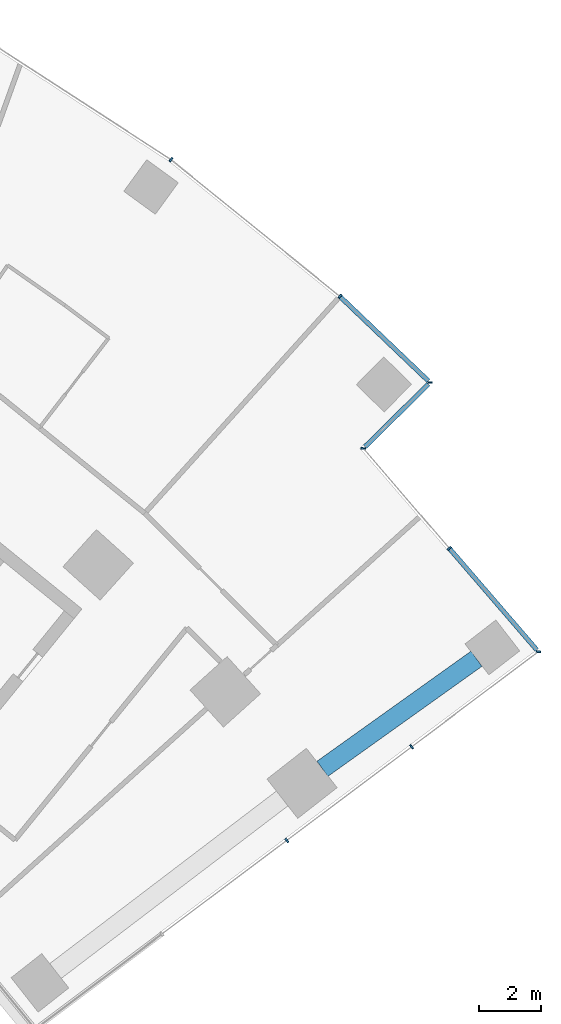
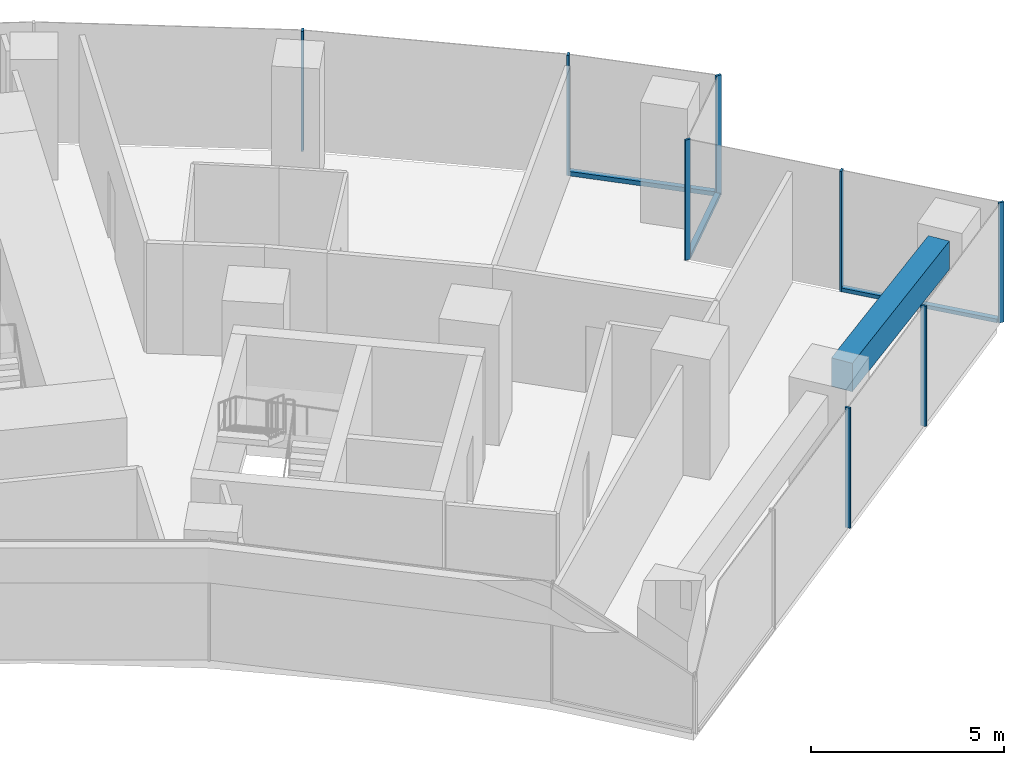
# One storey, part 10 of 21: 11 members, 1 beam, 4 elements without a shape of their own.
"""IFC4 building model written with IfcOpenShell, lengths in metres."""

from ifc_helpers import new_model, si_unit, direction, frame, origin, origin_2d, place, context, subcontext, project, spatial, rectangle, extrude, material, layer, layer_set, material_profile, profile_set, type_object, element, aggregate, save


model = new_model("IFC4")

# Units and contexts
model_context = context("Model", 3, precision=1e-05, world=origin(), true_north=direction((0.0, 1.0)))
body_context = subcontext(model_context, "Body", "Model", "MODEL_VIEW")
ifc_project = project(units=[si_unit("LENGTHUNIT", "METRE"), si_unit("AREAUNIT", "SQUARE_METRE"), si_unit("VOLUMEUNIT", "CUBIC_METRE"), si_unit("PLANEANGLEUNIT", "RADIAN"), si_unit("MASSUNIT", "GRAM", prefix="KILO")], contexts=[model_context])

# Site, building, storey
site_placement = place(None, origin())
site = spatial("IfcSite", under=ifc_project, at=site_placement, CompositionType="ELEMENT")
building_placement = place(site_placement, origin())
building = spatial("IfcBuilding", under=site, at=building_placement, Name="Stone Belt Terrace Tower", CompositionType="ELEMENT")
storey_placement = place(building_placement, frame((0.0, 0.0, 71.800048828125)))
storey = spatial("IfcBuildingStorey", under=building, at=storey_placement, Name="L17", CompositionType="ELEMENT", Elevation=71.800048828125)

# Curtain wall, members
ifc_material_1 = material(Name="Aluminium 6063-T6 anodised frame", Category="aluminium")
ifc_layer_1 = layer(ifc_material_1, 0.14990234375)
ifc_layer_set_1 = layer_set([ifc_layer_1], Name="CW-A unitised convex-face curtain wall")
curtain_wall_type_1 = type_object("IfcCurtainWallType", Name="CW-A unitised convex-face curtain wall", PredefinedType="NOTDEFINED", material=ifc_layer_set_1)
curtain_wall_1_placement = place(storey_placement, origin())
curtain_wall_1 = element("IfcCurtainWall", 1, at=curtain_wall_1_placement, inside=storey, type_object=curtain_wall_type_1, Name="CW-A convex face L17", PredefinedType="NOTDEFINED")
ifc_material_profile_1 = material_profile(ifc_material_1, rectangle(XDim=0.14990234375, YDim=0.06005859375, at=origin_2d()), Name="Aluminium 6063-T6 60x150")
ifc_profile_set_1 = profile_set([ifc_material_profile_1], Name="Aluminium 6063-T6 anodised frame")
member_type_1 = type_object("IfcMemberType", Name="CW-A mullion 60 x 150", PredefinedType="MULLION", material=ifc_profile_set_1)
member_1_placement = place(storey_placement, frame((47.4365234375, 46.715087890625, 0.0), z_axis=(0.0, 0.0, 1.0), x_axis=(-0.999966480105, -0.008187714406, 0.0)))
member_1 = element("IfcMember", 2, at=member_1_placement, type_object=member_type_1, Name="CW-A mullion 1", PredefinedType="MULLION", context=body_context, shape_type="SweptSolid", body=[
    extrude(rectangle(XDim=0.14990234375, YDim=0.06005859375, at=origin_2d()), origin(), (0.0, 0.0, 1.0), 3.800048828125),
])
member_2_placement = place(storey_placement, frame((44.546875, 49.4755859375, 0.0), z_axis=(0.0, 0.0, 1.0), x_axis=(-0.660573481499, -0.75076139721, 0.0)))
member_2 = element("IfcMember", 3, at=member_2_placement, type_object=member_type_1, Name="CW-A mullion 2", PredefinedType="MULLION", context=body_context, shape_type="SweptSolid", body=[
    extrude(rectangle(XDim=0.14990234375, YDim=0.06005859375, at=origin_2d()), origin(), (0.0, 0.0, 1.0), 3.800048828125),
])
member_3_placement = place(storey_placement, frame((39.1318359375, 53.8603515625, 0.0), z_axis=(0.0, 0.0, 1.0), x_axis=(-0.587785252292, -0.809016994375, 0.0)))
member_3 = element("IfcMember", 4, at=member_3_placement, type_object=member_type_1, Name="CW-A mullion 3", PredefinedType="MULLION", context=body_context, shape_type="SweptSolid", body=[
    extrude(rectangle(XDim=0.14990234375, YDim=0.06005859375, at=origin_2d()), origin(), (0.0, 0.0, 1.0), 3.800048828125),
])
ifc_material_profile_2 = material_profile(ifc_material_1, rectangle(XDim=0.14990234375, YDim=0.139892578125, at=origin_2d()), Name="Aluminium 6063-T6 150x140")
ifc_profile_set_2 = profile_set([ifc_material_profile_2], Name="Aluminium 6063-T6 anodised frame")
member_type_2 = type_object("IfcMemberType", Name="CW-A transom 140 x 150", PredefinedType="USERDEFINED", material=ifc_profile_set_2)
member_4_placement = place(storey_placement, frame((47.382568359375, 46.766845703125, 0.070068359375), z_axis=(-0.723150258233, 0.690690744124, 0.0), x_axis=(-0.690690744124, -0.723150258233, 0.0)))
member_4 = element("IfcMember", 5, at=member_4_placement, type_object=member_type_2, Name="CW-A transom 1.1", ObjectType="TRANSOM", PredefinedType="USERDEFINED", context=body_context, shape_type="SweptSolid", body=[
    extrude(rectangle(XDim=0.14990234375, YDim=0.139892578125, at=origin_2d()), origin(), (0.0, 0.0, 1.0), 3.888671875),
])
aggregate(curtain_wall_1, [member_1, member_2, member_3, member_4])

ifc_layer_2 = layer(ifc_material_1, 0.14990234375)
ifc_layer_set_2 = layer_set([ifc_layer_2], Name="CW-C stick curtain wall, horn ends and notches")
curtain_wall_type_2 = type_object("IfcCurtainWallType", Name="CW-C stick curtain wall, horn ends and notches", PredefinedType="NOTDEFINED", material=ifc_layer_set_2)
curtain_wall_2_placement = place(storey_placement, origin())
curtain_wall_2 = element("IfcCurtainWall", 6, at=curtain_wall_2_placement, inside=storey, type_object=curtain_wall_type_2, Name="CW-C end face L17", PredefinedType="NOTDEFINED")
ifc_material_profile_3 = material_profile(ifc_material_1, rectangle(XDim=0.14990234375, YDim=0.06005859375, at=origin_2d()), Name="Aluminium 6063-T6 60x150")
ifc_profile_set_3 = profile_set([ifc_material_profile_3], Name="Aluminium 6063-T6 anodised frame")
member_type_3 = type_object("IfcMemberType", Name="CW-C mullion 60 x 150", PredefinedType="MULLION", material=ifc_profile_set_3)
member_5_placement = place(storey_placement, frame((42.84423828125, 32.041015625, 0.0), z_axis=(0.0, 0.0, 1.0), x_axis=(-0.600017992436, 0.799986505357, 0.0)))
member_5 = element("IfcMember", 7, at=member_5_placement, type_object=member_type_3, Name="CW-C mullion 3", PredefinedType="MULLION", context=body_context, shape_type="SweptSolid", body=[
    extrude(rectangle(XDim=0.14990234375, YDim=0.06005859375, at=origin_2d()), origin(), (0.0, 0.0, 1.0), 3.800048828125),
])
member_6_placement = place(storey_placement, frame((46.84423828125, 35.041015625, 0.0), z_axis=(0.0, 0.0, 1.0), x_axis=(-0.600017992436, 0.799986505357, 0.0)))
member_6 = element("IfcMember", 8, at=member_6_placement, type_object=member_type_3, Name="CW-C mullion 4", PredefinedType="MULLION", context=body_context, shape_type="SweptSolid", body=[
    extrude(rectangle(XDim=0.14990234375, YDim=0.06005859375, at=origin_2d()), origin(), (0.0, 0.0, 1.0), 3.800048828125),
])
aggregate(curtain_wall_2, [member_5, member_6])

curtain_wall_3_placement = place(storey_placement, origin())
curtain_wall_3 = element("IfcCurtainWall", 9, at=curtain_wall_3_placement, inside=storey, type_object=curtain_wall_type_2, Name="CW-C notch face L17", PredefinedType="NOTDEFINED")
member_7_placement = place(storey_placement, frame((50.908447265625, 38.08935546875, 0.0), z_axis=(0.0, 0.0, 1.0), x_axis=(-0.994169356535, 0.107829914807, 0.0)))
member_7 = element("IfcMember", 10, at=member_7_placement, type_object=member_type_3, Name="CW-C mullion 1", PredefinedType="MULLION", context=body_context, shape_type="SweptSolid", body=[
    extrude(rectangle(XDim=0.14990234375, YDim=0.06005859375, at=origin_2d()), origin(), (0.0, 0.0, 1.0), 3.800048828125),
])
member_8_placement = place(storey_placement, frame((48.05322265625, 41.40283203125, 0.0), z_axis=(0.0, 0.0, 1.0), x_axis=(-0.757583847343, -0.652737860281, 0.0)))
member_8 = element("IfcMember", 11, at=member_8_placement, type_object=member_type_3, Name="CW-C mullion 2", PredefinedType="MULLION", context=body_context, shape_type="SweptSolid", body=[
    extrude(rectangle(XDim=0.14990234375, YDim=0.06005859375, at=origin_2d()), origin(), (0.0, 0.0, 1.0), 3.800048828125),
])

# Curtain wall, member
curtain_wall_4_placement = place(storey_placement, origin())
curtain_wall_4 = element("IfcCurtainWall", 12, at=curtain_wall_4_placement, inside=storey, type_object=curtain_wall_type_2, Name="CW-C notch face L17", PredefinedType="NOTDEFINED")
member_9_placement = place(storey_placement, frame((45.29638671875, 44.602783203125, 0.0), z_axis=(0.0, 0.0, 1.0), x_axis=(-0.999185209744, 0.040359839301, 0.0)))
member_9 = element("IfcMember", 13, at=member_9_placement, type_object=member_type_3, Name="CW-C mullion 1", PredefinedType="MULLION", context=body_context, shape_type="SweptSolid", body=[
    extrude(rectangle(XDim=0.14990234375, YDim=0.06005859375, at=origin_2d()), origin(), (0.0, 0.0, 1.0), 3.800048828125),
])

# Member
ifc_material_profile_4 = material_profile(ifc_material_1, rectangle(XDim=0.14990234375, YDim=0.1201171875, at=origin_2d()), Name="Aluminium 6063-T6 150x120")
ifc_profile_set_4 = profile_set([ifc_material_profile_4], Name="Aluminium 6063-T6 anodised frame")
member_type_4 = type_object("IfcMemberType", Name="CW-C transom 120 x 150", PredefinedType="USERDEFINED", material=ifc_profile_set_4)
member_10_placement = place(storey_placement, frame((50.859130859375, 38.146240234375, 0.06005859375), z_axis=(-0.652743872196, 0.757578667407, 0.0), x_axis=(-0.757578667407, -0.652743872196, 0.0)))
member_10 = element("IfcMember", 14, at=member_10_placement, type_object=member_type_4, Name="CW-C transom 1.1", ObjectType="TRANSOM", PredefinedType="USERDEFINED", context=body_context, shape_type="SweptSolid", body=[
    extrude(rectangle(XDim=0.14990234375, YDim=0.1201171875, at=origin_2d()), origin(), (0.0, 0.0, 1.0), 4.268798828125),
])

aggregate(curtain_wall_3, [member_7, member_8, member_10])

member_11_placement = place(storey_placement, frame((45.348388671875, 44.654052734375, 0.06005859375), z_axis=(0.711744791626, 0.702438147877, 0.0), x_axis=(-0.702438147877, 0.711744791626, 0.0)))
member_11 = element("IfcMember", 15, at=member_11_placement, type_object=member_type_4, Name="CW-C transom 1.1", ObjectType="TRANSOM", PredefinedType="USERDEFINED", context=body_context, shape_type="SweptSolid", body=[
    extrude(rectangle(XDim=0.14990234375, YDim=0.1201171875, at=origin_2d()), origin(), (0.0, 0.0, 1.0), 2.859375),
])

aggregate(curtain_wall_4, [member_9, member_11])

# Beam
ifc_material_2 = material(Name="Concrete B60", Category="concrete")
ifc_material_profile_5 = material_profile(ifc_material_2, rectangle(XDim=0.60009765625, YDim=0.89990234375, at=origin_2d()), Name="RC 600x900")
ifc_profile_set_5 = profile_set([ifc_material_profile_5], Name="Concrete B60")
beam_type = type_object("IfcBeamType", Name="Edge beam RC 600x900 B60", PredefinedType="SPANDREL", material=ifc_profile_set_5)
beam_placement = place(storey_placement, frame((43.985107421875, 34.335693359375, 3.030029296875), z_axis=(0.813776958912, 0.581177306115, 0.0), x_axis=(-0.581177306115, 0.813776958912, 0.0)))
element("IfcBeam", 16, at=beam_placement, inside=storey, type_object=beam_type, Name="Edge beam L17 B Q to R", PredefinedType="SPANDREL", context=body_context, shape_type="SweptSolid", body=[
    extrude(rectangle(XDim=0.60009765625, YDim=0.89990234375, at=origin_2d()), origin(), (0.0, 0.0, 1.0), 6.06884765625),
])

save(model, "model.ifc")
